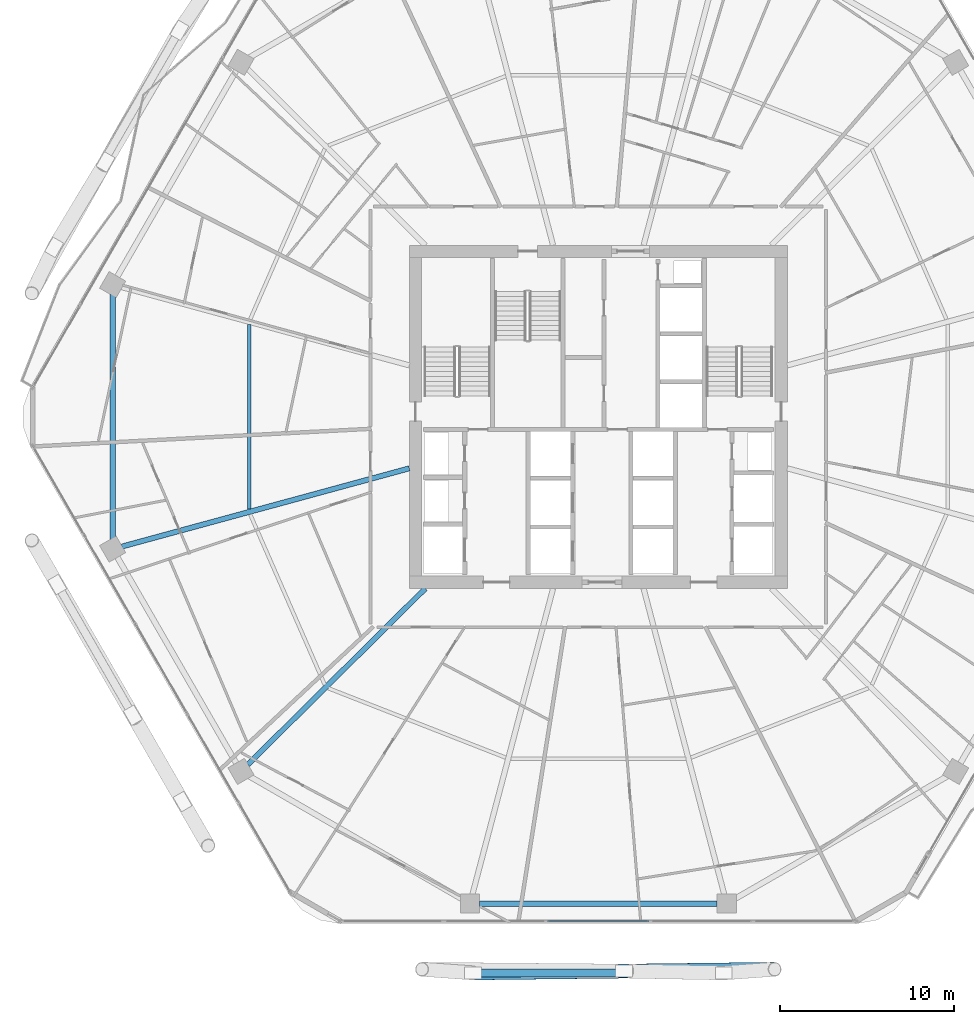
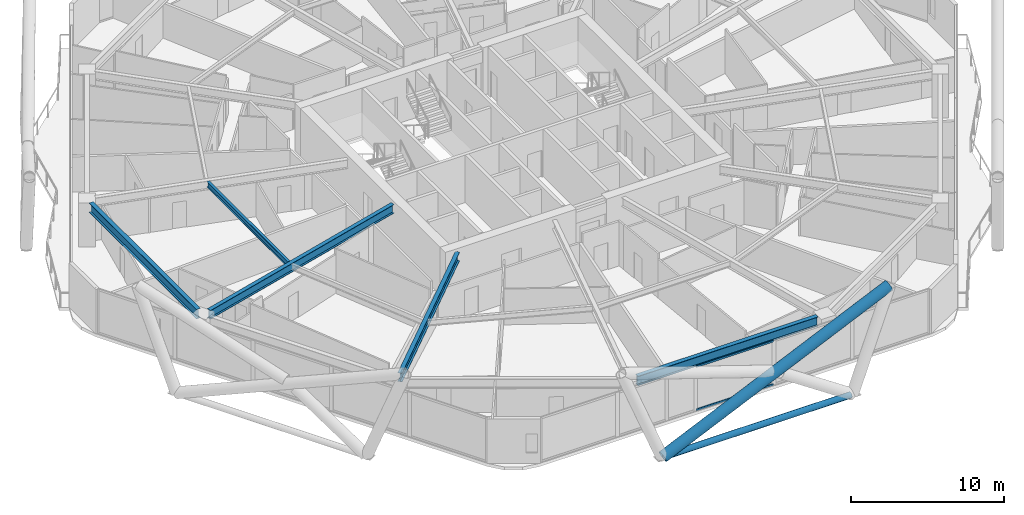
# One storey, part 6 of 34: 5 beams, 4 members, 1 element without a shape of its own.
"""IFC4 building model written with IfcOpenShell, lengths in metres."""

from ifc_helpers import new_model, si_unit, direction, frame, origin, origin_2d, place, context, subcontext, project, spatial, hollow_rectangle, hollow_circle, i_section, extrude, material, material_profile, profile_set, type_object, element, aggregate, save


model = new_model("IFC4")

# Units and contexts
model_context = context("Model", 3, precision=1e-05, world=origin(), true_north=direction((0.0, 1.0)))
body_context = subcontext(model_context, "Body", "Model", "MODEL_VIEW")
ifc_project = project(units=[si_unit("LENGTHUNIT", "METRE"), si_unit("AREAUNIT", "SQUARE_METRE"), si_unit("VOLUMEUNIT", "CUBIC_METRE"), si_unit("PLANEANGLEUNIT", "RADIAN"), si_unit("MASSUNIT", "GRAM", prefix="KILO")], contexts=[model_context])

# Site, building, storey
site_placement = place(None, origin())
site = spatial("IfcSite", under=ifc_project, at=site_placement, CompositionType="ELEMENT")
building_placement = place(site_placement, origin())
building = spatial("IfcBuilding", under=site, at=building_placement, Name="Zuhravey Tower", CompositionType="ELEMENT")
storey_placement = place(building_placement, frame((0.0, 0.0, 130.39990234375)))
storey = spatial("IfcBuildingStorey", under=building, at=storey_placement, Name="L32", CompositionType="ELEMENT", Elevation=130.39990234375)

# Curtain wall, members
ifc_material_1 = material(Name="Thermally broken anodised aluminium", Category="aluminium")
curtain_wall_type = type_object("IfcCurtainWallType", Name="Zone 1-2 Residential Curtain Wall CW3", PredefinedType="NOTDEFINED", material=ifc_material_1)
curtain_wall_placement = place(storey_placement, origin())
curtain_wall = element("IfcCurtainWall", 1, at=curtain_wall_placement, inside=storey, type_object=curtain_wall_type, Name="L32 CW3 CW-L32-F5-1", PredefinedType="NOTDEFINED")
ifc_material_2 = material(Name="Anodised aluminium", Category="aluminium")
ifc_material_profile_1 = material_profile(ifc_material_2, hollow_rectangle(XDim=0.090087890625, YDim=0.14990234375, WallThickness=0.0048828125, at=origin_2d()), Name="ALU-RHS-90x150x5")
ifc_profile_set_1 = profile_set([ifc_material_profile_1], Name="Anodised aluminium")
member_type_1 = type_object("IfcMemberType", Name="Curtain-Wall Transom 90x150", PredefinedType="USERDEFINED", material=ifc_profile_set_1)
member_1_placement = place(storey_placement, frame((38.914794921875, 3.04150390625, 0.045166015625), z_axis=(-1.0, 0.0, 0.0), x_axis=(0.0, -1.0, 0.0)))
member_1 = element("IfcMember", 2, at=member_1_placement, type_object=member_type_1, Name="CW3 transom 3.1", ObjectType="TRANSOM", PredefinedType="USERDEFINED", context=body_context, shape_type="SweptSolid", body=[
    extrude(hollow_rectangle(XDim=0.090087890625, YDim=0.14990234375, WallThickness=0.0048828125, at=origin_2d()), origin(), (0.0, 0.0, 1.0), 5.82958984375),
])
member_2_placement = place(storey_placement, frame((38.914794921875, 3.04150390625, 3.505126953125), z_axis=(-1.0, 0.0, 0.0), x_axis=(0.0, -1.0, 0.0)))
member_2 = element("IfcMember", 3, at=member_2_placement, type_object=member_type_1, Name="CW3 transom 3.2", ObjectType="TRANSOM", PredefinedType="USERDEFINED", context=body_context, shape_type="SweptSolid", body=[
    extrude(hollow_rectangle(XDim=0.090087890625, YDim=0.14990234375, WallThickness=0.0048828125, at=origin_2d()), origin(), (0.0, 0.0, 1.0), 5.82958984375),
])
aggregate(curtain_wall, [member_1, member_2])

# Members
ifc_material_3 = material(Name="Steel SM355", Category="steel")
ifc_material_profile_2 = material_profile(ifc_material_3, hollow_circle(Radius=0.228515625, WallThickness=0.02197265625, at=origin_2d()), Name="CHS-457.2x22")
ifc_profile_set_2 = profile_set([ifc_material_profile_2], Name="Steel SM355")
member_type_2 = type_object("IfcMemberType", Name="Exoskeleton Ring Tie CHS457x22", PredefinedType="CHORD", material=ifc_profile_set_2)
member_3_placement = place(storey_placement, frame((28.946044921875, 0.071533203125, -0.4638671875), z_axis=(1.0, 0.0, 0.0), x_axis=(0.0, 1.0, 0.0)))
element("IfcMember", 4, at=member_3_placement, inside=storey, type_object=member_type_2, Name="L32 Exoskeleton Face 5 Tie EXR1", PredefinedType="CHORD", context=body_context, shape_type="SweptSolid", body=[
    extrude(hollow_circle(Radius=0.228515625, WallThickness=0.02197265625, at=origin_2d()), origin(), (0.0, 0.0, 1.0), 14.10791015625),
])
ifc_material_4 = material(Name="Steel SM460", Category="steel")
ifc_material_profile_3 = material_profile(ifc_material_4, hollow_circle(Radius=0.406494140625, WallThickness=0.035888671875, at=origin_2d()), Name="CHS-812.8x36")
ifc_profile_set_3 = profile_set([ifc_material_profile_3], Name="Steel SM460")
member_type_3 = type_object("IfcMemberType", Name="Exoskeleton Zone 1 Diagrid CHS813x36", PredefinedType="BRACE", material=ifc_profile_set_3)
member_4_placement = place(storey_placement, frame((28.856201171875, 0.072021484375, -0.44189453125), z_axis=(0.915757423214, 0.011107010234, 0.401578107162), x_axis=(-0.012127876971, 0.999926454596, 0.0)))
element("IfcMember", 5, at=member_4_placement, inside=storey, type_object=member_type_3, Name="L32 Face 5 Diagrid Brace 2", PredefinedType="BRACE", context=body_context, shape_type="SweptSolid", body=[
    extrude(hollow_circle(Radius=0.406494140625, WallThickness=0.035888671875, at=origin_2d()), origin(), (0.0, 0.0, 1.0), 18.8154296875),
])

# Beams
ifc_material_profile_4 = material_profile(ifc_material_3, i_section(OverallWidth=0.320068359375, OverallDepth=0.75, WebThickness=0.013916015625, FlangeThickness=0.02490234375, at=origin_2d()), Name="H-750x320x14x25")
ifc_profile_set_4 = profile_set([ifc_material_profile_4], Name="Steel SM355")
beam_type_1 = type_object("IfcBeamType", Name="Perimeter Ring Beam H750x320", PredefinedType="BEAM", material=ifc_profile_set_4)
beam_1_placement = place(storey_placement, frame((8.11083984375, 39.03857421875, 3.175048828125), z_axis=(0.0, -1.0, 0.0), x_axis=(1.0, 0.0, 0.0)))
element("IfcBeam", 6, at=beam_1_placement, inside=storey, type_object=beam_type_1, Name="L32 PB1 BM-L32-PB-06", PredefinedType="BEAM", context=body_context, shape_type="SweptSolid", body=[
    extrude(i_section(OverallWidth=0.320068359375, OverallDepth=0.75, WebThickness=0.013916015625, FlangeThickness=0.02490234375, at=origin_2d()), origin(), (0.0, 0.0, 1.0), 14.0771484375),
])
beam_2_placement = place(storey_placement, frame((29.18310546875, 4.051513671875, 3.175048828125), z_axis=(1.0, 0.0, 0.0), x_axis=(0.0, 1.0, 0.0)))
element("IfcBeam", 7, at=beam_2_placement, inside=storey, type_object=beam_type_1, Name="L32 PB1 BM-L32-PB-09", PredefinedType="BEAM", context=body_context, shape_type="SweptSolid", body=[
    extrude(i_section(OverallWidth=0.320068359375, OverallDepth=0.75, WebThickness=0.013916015625, FlangeThickness=0.02490234375, at=origin_2d()), origin(), (0.0, 0.0, 1.0), 13.6337890625),
])
ifc_material_profile_5 = material_profile(ifc_material_3, i_section(OverallWidth=0.300048828125, OverallDepth=0.699951171875, WebThickness=0.012939453125, FlangeThickness=0.02392578125, at=origin_2d()), Name="H-700x300x13x24")
ifc_profile_set_5 = profile_set([ifc_material_profile_5], Name="Steel SM355")
beam_type_2 = type_object("IfcBeamType", Name="Radial Primary Girder H700x300", PredefinedType="BEAM", material=ifc_profile_set_5)
beam_3_placement = place(storey_placement, frame((25.14697265625, 29.045654296875, 3.2001953125), z_axis=(-0.964893166225, -0.262642680791, 0.0), x_axis=(0.262642680791, -0.964893166225, 0.0)))
element("IfcBeam", 8, at=beam_3_placement, inside=storey, type_object=beam_type_2, Name="L32 RG1 BM-L32-RAD-07", PredefinedType="BEAM", context=body_context, shape_type="SweptSolid", body=[
    extrude(i_section(OverallWidth=0.300048828125, OverallDepth=0.699951171875, WebThickness=0.012939453125, FlangeThickness=0.02392578125, at=origin_2d()), origin(), (0.0, 0.0, 1.0), 17.102783203125),
])
beam_4_placement = place(storey_placement, frame((26.068603515625, 22.14697265625, 3.2001953125), z_axis=(-0.709906230344, -0.704296204816, 0.0), x_axis=(0.704296204816, -0.709906230344, 0.0)))
element("IfcBeam", 9, at=beam_4_placement, inside=storey, type_object=beam_type_2, Name="L32 RG1 BM-L32-RAD-08", PredefinedType="BEAM", context=body_context, shape_type="SweptSolid", body=[
    extrude(i_section(OverallWidth=0.300048828125, OverallDepth=0.699951171875, WebThickness=0.012939453125, FlangeThickness=0.02392578125, at=origin_2d()), origin(), (0.0, 0.0, 1.0), 14.361083984375),
])
ifc_material_profile_6 = material_profile(ifc_material_3, i_section(OverallWidth=0.199951171875, OverallDepth=0.449951171875, WebThickness=0.009033203125, FlangeThickness=0.013916015625, at=origin_2d()), Name="H-450x200x9x14")
ifc_profile_set_6 = profile_set([ifc_material_profile_6], Name="Steel SM355")
beam_type_3 = type_object("IfcBeamType", Name="Secondary Floor Joist H450x200", PredefinedType="JOIST", material=ifc_profile_set_6)
beam_5_placement = place(storey_placement, frame((15.947509765625, 37.304443359375, 3.3251953125), z_axis=(0.0, -1.0, 0.0), x_axis=(1.0, 0.0, 0.0)))
element("IfcBeam", 10, at=beam_5_placement, inside=storey, type_object=beam_type_3, Name="L32 SJ1 BM-L32-SJ-06-1", PredefinedType="JOIST", context=body_context, shape_type="SweptSolid", body=[
    extrude(i_section(OverallWidth=0.199951171875, OverallDepth=0.449951171875, WebThickness=0.009033203125, FlangeThickness=0.013916015625, at=origin_2d()), origin(), (0.0, 0.0, 1.0), 10.60888671875),
])

save(model, "model.ifc")
